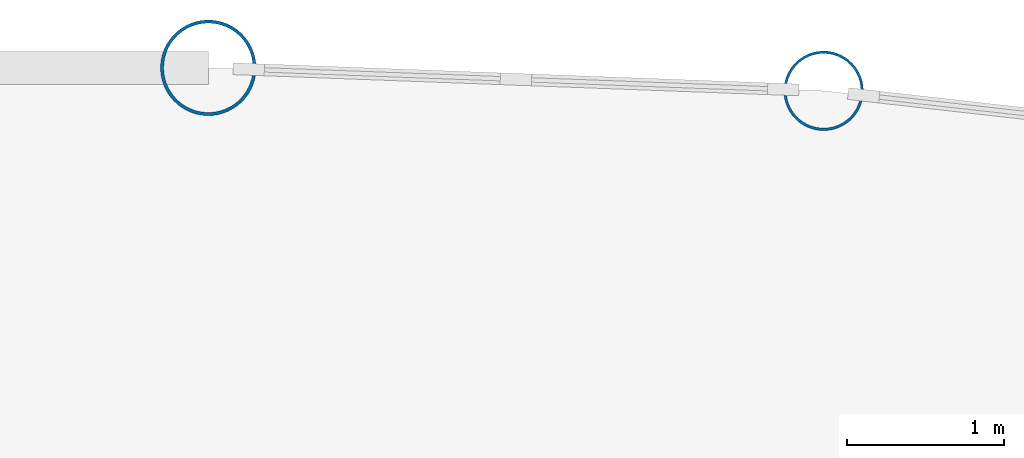
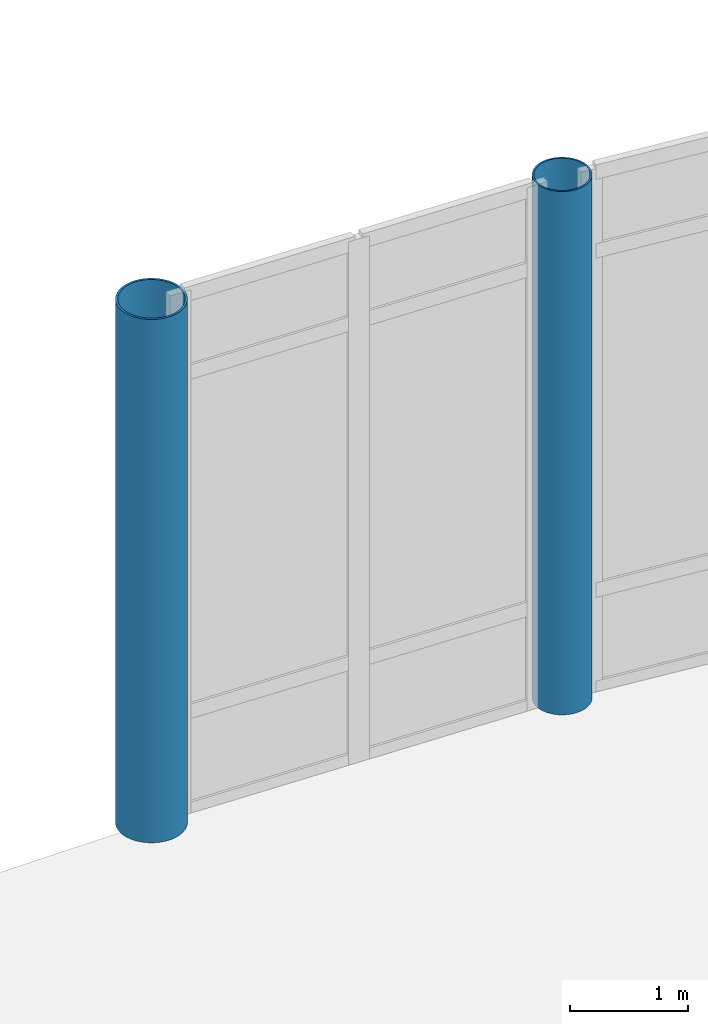
# One storey, part 14 of 111: 2 columns.
"""IFC4 building model written with IfcOpenShell, lengths in metres."""

import ifcopenshell
import ifcopenshell.guid

model = None  # the IFC model being written
_history = None  # IfcOwnerHistory: only IFC2X3 demands one
_inside = {}  # id of a spatial element -> (the spatial element, [elements in it])
_under = {}  # id of a project, library or spatial element -> (it, [spatial elements below it])
_declared = {}  # id of a project -> (the project, [libraries it declares])
_typed = {}  # id of a type object -> (the type object, [elements of that type])
_made_of = {}  # id of a material, layer set ... -> (it, [elements and type objects made of it])


def new_model(schema):
    """Start an empty IFC model of exactly this schema.

    Asked for "IFC4X3", IfcOpenShell would pick the latest addendum, in which some entities
    have other attributes; the version numbers below select the first issue.
    IFC2X3 requires an IfcOwnerHistory on every rooted entity: one is made here for all.
    """
    global model, _history
    if schema == "IFC4X3":
        model = ifcopenshell.file(schema_version=(4, 3, 0, 0))
    else:
        model = ifcopenshell.file(schema=schema)
    _inside.clear()
    _under.clear()
    _declared.clear()
    _typed.clear()
    _made_of.clear()
    _history = None
    if model.schema == "IFC2X3":
        org = make("IfcOrganization", Name="unknown")
        user = make(
            "IfcPersonAndOrganization",
            ThePerson=make("IfcPerson", FamilyName="unknown"),
            TheOrganization=org,
        )
        app = make(
            "IfcApplication",
            ApplicationDeveloper=org,
            Version="unknown",
            ApplicationFullName="unknown",
            ApplicationIdentifier="unknown",
        )
        _history = make(
            "IfcOwnerHistory",
            OwningUser=user,
            OwningApplication=app,
            ChangeAction="ADDED",
            CreationDate=0,
        )
    return model


def make(cls, **values):
    """One entity of the class cls with the attributes given. An attribute that is None is left unset."""
    return model.create_entity(
        cls, **{name: value for name, value in values.items() if value is not None}
    )


def rooted(cls, **values):
    """An entity with a GlobalId (a new one), such as an element, a storey or a relation."""
    return make(cls, GlobalId=ifcopenshell.guid.new(), OwnerHistory=_history, **values)


def si_unit(unit_type, name, prefix=None):
    """IfcSIUnit, for example si_unit("LENGTHUNIT", "METRE", prefix="MILLI")."""
    return make("IfcSIUnit", UnitType=unit_type, Prefix=prefix, Name=name)


def assignment(units):
    """IfcUnitAssignment: the units of a project."""
    return None if units is None else make("IfcUnitAssignment", Units=units)


def point(xyz):
    """IfcCartesianPoint."""
    return None if xyz is None else make("IfcCartesianPoint", Coordinates=xyz)


def direction(xyz):
    """IfcDirection."""
    return None if xyz is None else make("IfcDirection", DirectionRatios=xyz)


def frame(location, z_axis=None, x_axis=None):
    """IfcAxis2Placement3D, a coordinate frame: its origin and axes. An axis left out is left unset."""
    return make(
        "IfcAxis2Placement3D",
        Location=point(location),
        Axis=direction(z_axis),
        RefDirection=direction(x_axis),
    )


def frame_2d(location, x_axis=None):
    """IfcAxis2Placement2D, a coordinate frame in the plane: its origin and x axis."""
    return make(
        "IfcAxis2Placement2D", Location=point(location), RefDirection=direction(x_axis)
    )


def origin():
    """The frame at (0, 0, 0) with its axes left unset."""
    return frame((0.0, 0.0, 0.0))


def origin_2d():
    """The frame at (0, 0) in the plane with its x axis left unset."""
    return frame_2d((0.0, 0.0))


def place(relative_to, where):
    """IfcLocalPlacement: puts the frame where relative to a parent placement (None: the world)."""
    return make(
        "IfcLocalPlacement", PlacementRelTo=relative_to, RelativePlacement=where
    )


def context(
    kind, dimensions, precision=None, world=None, true_north=None, identifier=None
):
    """IfcGeometricRepresentationContext, for example the 3D "Model" context."""
    return make(
        "IfcGeometricRepresentationContext",
        ContextIdentifier=identifier,
        ContextType=kind,
        CoordinateSpaceDimension=dimensions,
        Precision=precision,
        WorldCoordinateSystem=world,
        TrueNorth=true_north,
    )


def subcontext(parent, identifier, kind, view, scale=None):
    """IfcGeometricRepresentationSubContext, for example "Body" below "Model"."""
    return make(
        "IfcGeometricRepresentationSubContext",
        ContextIdentifier=identifier,
        ContextType=kind,
        ParentContext=parent,
        TargetScale=scale,
        TargetView=view,
    )


def project(units=None, contexts=None):
    """IfcProject with its units and contexts."""
    return rooted(
        "IfcProject",
        Name="project",
        RepresentationContexts=contexts,
        UnitsInContext=assignment(units),
    )


def spatial(cls, under=None, at=None, **own):
    """A site, building, storey or space (cls), placed at a placement, below another one or the project."""
    s = rooted(cls, ObjectPlacement=at, **own)
    if under is not None:
        _under.setdefault(under.id(), (under, []))[1].append(s)
    return s


def profile(cls, at=None, kind="AREA", **sizes):
    """A parametric profile (cls). Its sizes go by their IFC names, for example OverallWidth=200.0."""
    return make(cls, ProfileType=kind, Position=at, **sizes)


def hollow_circle(**sizes):
    """IfcCircleHollowProfileDef."""
    return profile("IfcCircleHollowProfileDef", **sizes)


def extrude(swept, where, along, depth):
    """IfcExtrudedAreaSolid: the profile swept, set in the frame where, extruded along a direction by depth."""
    return make(
        "IfcExtrudedAreaSolid",
        SweptArea=swept,
        Position=where,
        ExtrudedDirection=direction(along),
        Depth=depth,
    )


def shape(context_of_items, identifier, shape_type, items):
    """IfcShapeRepresentation: the items that make up one representation, for example the "Body"."""
    return make(
        "IfcShapeRepresentation",
        ContextOfItems=context_of_items,
        RepresentationIdentifier=identifier,
        RepresentationType=shape_type,
        Items=items,
    )


def material(Name=None, Category=None):
    """IfcMaterial."""
    return make("IfcMaterial", Name=Name, Category=Category)


def material_profile(
    of_material, cross_section, Name=None, Category=None, Priority=None
):
    """IfcMaterialProfile: a cross section and its material."""
    return make(
        "IfcMaterialProfile",
        Name=Name,
        Material=of_material,
        Profile=cross_section,
        Priority=Priority,
        Category=Category,
    )


def profile_set(profiles, Name=None, composite=None):
    """IfcMaterialProfileSet."""
    return make(
        "IfcMaterialProfileSet",
        Name=Name,
        MaterialProfiles=profiles,
        CompositeProfile=composite,
    )


def made_of(thing, what):
    """Note that an element or type object is made of a material, layer set ...; save() writes the relation."""
    if what is not None:
        _made_of.setdefault(what.id(), (what, []))[1].append(thing)
    return thing


def type_object(cls, material=None, **own):
    """A type object (cls), such as IfcWallType, which elements share."""
    return made_of(rooted(cls, **own), material)


def element(
    cls,
    number,
    at=None,
    inside=None,
    cuts=None,
    type_object=None,
    material=None,
    context=None,
    identifier="Body",
    shape_type=None,
    held_by="IfcProductDefinitionShape",
    body=None,
    shapes=None,
    **own,
):
    """One element of the class cls, such as IfcWall. Its Tag is "e" and its number.

    at: its placement. inside: the storey or other place that contains it. cuts: it is an
    opening in that element (IfcRelVoidsElement). A single representation is given by context,
    identifier, shape_type and body (its items); several are given by shapes. held_by: the class
    of the entity that holds the representations. save() writes the other relations.
    """
    e = rooted(cls, Tag="e%d" % number, ObjectPlacement=at, **own)
    if body is not None:
        shapes = [shape(context, identifier, shape_type, body)]
    if shapes is not None:
        e.Representation = make(held_by, Representations=shapes)
    if inside is not None:
        _inside.setdefault(inside.id(), (inside, []))[1].append(e)
    if cuts is not None:
        rooted(
            "IfcRelVoidsElement", RelatingBuildingElement=cuts, RelatedOpeningElement=e
        )
    if type_object is not None:
        _typed.setdefault(type_object.id(), (type_object, []))[1].append(e)
    return made_of(e, material)


def aggregate(whole, parts):
    """IfcRelAggregates: a whole, such as a stair, and the parts it consists of."""
    return rooted("IfcRelAggregates", RelatingObject=whole, RelatedObjects=parts)


def save(model, path):
    """Write the relations noted so far, then the file.

    IfcRelAggregates (storeys below a building ...), IfcRelContainedInSpatialStructure (elements
    in a storey), IfcRelDefinesByType, IfcRelAssociatesMaterial and IfcRelDeclares: one each for
    every whole, place, type object, material and project.
    """
    for whole, parts in _under.values():
        aggregate(whole, parts)
    for where, things in _inside.values():
        rooted(
            "IfcRelContainedInSpatialStructure",
            RelatedElements=things,
            RelatingStructure=where,
        )
    for kind, things in _typed.values():
        rooted("IfcRelDefinesByType", RelatedObjects=things, RelatingType=kind)
    for what, things in _made_of.values():
        rooted("IfcRelAssociatesMaterial", RelatedObjects=things, RelatingMaterial=what)
    for by, libraries in _declared.values():
        rooted("IfcRelDeclares", RelatingContext=by, RelatedDefinitions=libraries)
    model.write(path)


model = new_model("IFC4")

# Units and contexts
model_context = context("Model", 3, precision=1e-05, world=origin(), true_north=direction((0.0, 1.0)))
body_context = subcontext(model_context, "Body", "Model", "MODEL_VIEW")
ifc_project = project(units=[si_unit("LENGTHUNIT", "METRE"), si_unit("AREAUNIT", "SQUARE_METRE"), si_unit("VOLUMEUNIT", "CUBIC_METRE"), si_unit("PLANEANGLEUNIT", "RADIAN"), si_unit("MASSUNIT", "GRAM", prefix="KILO"), si_unit("THERMODYNAMICTEMPERATUREUNIT", "KELVIN"), si_unit("POWERUNIT", "WATT")], contexts=[model_context])

# Site, building, storey
site_placement = place(None, origin())
site = spatial("IfcSite", under=ifc_project, at=site_placement, CompositionType="ELEMENT")
building_placement = place(site_placement, origin())
building = spatial("IfcBuilding", under=site, at=building_placement, Name="Tembeka Court Mobility Hub", CompositionType="ELEMENT")
storey_placement = place(building_placement, origin())
storey = spatial("IfcBuildingStorey", under=building, at=storey_placement, Name="L00", CompositionType="ELEMENT", Elevation=0.0)

# Columns
ifc_material = material(Name="Steel S355", Category="steel")
ifc_material_profile_1 = material_profile(ifc_material, hollow_circle(Radius=0.304931640625, WallThickness=0.02001953125, at=origin_2d()), Name="CHS 610x20")
ifc_profile_set_1 = profile_set([ifc_material_profile_1], Name="Steel S355")
column_type_1 = type_object("IfcColumnType", Name="COL-C07", PredefinedType="COLUMN", material=ifc_profile_set_1)
column_1_placement = place(storey_placement, frame((123.89990234375, 118.800048828125, 0.0), z_axis=(0.0, 0.0, 1.0), x_axis=(1.0, 0.0, 0.0)))
element("IfcColumn", 1, at=column_1_placement, inside=storey, type_object=column_type_1, Name="Column C07 (L00-170)", PredefinedType="COLUMN", context=body_context, shape_type="SweptSolid", body=[
    extrude(hollow_circle(Radius=0.304931640625, WallThickness=0.02001953125, at=origin_2d()), origin(), (0.0, 0.0, 1.0), 5.39990234375),
])
ifc_material_profile_2 = material_profile(ifc_material, hollow_circle(Radius=0.25390625, WallThickness=0.01611328125, at=origin_2d()), Name="CHS 508x16")
ifc_profile_set_2 = profile_set([ifc_material_profile_2], Name="Steel S355")
column_type_2 = type_object("IfcColumnType", Name="COL-C08", PredefinedType="COLUMN", material=ifc_profile_set_2)
column_2_placement = place(storey_placement, frame((127.8232421875, 118.6533203125, 0.0), z_axis=(0.0, 0.0, 1.0), x_axis=(1.0, 0.0, 0.0)))
element("IfcColumn", 2, at=column_2_placement, inside=storey, type_object=column_type_2, Name="Column C08 (L00-172)", PredefinedType="COLUMN", context=body_context, shape_type="SweptSolid", body=[
    extrude(hollow_circle(Radius=0.25390625, WallThickness=0.01611328125, at=origin_2d()), origin(), (0.0, 0.0, 1.0), 5.39990234375),
])

save(model, "model.ifc")
